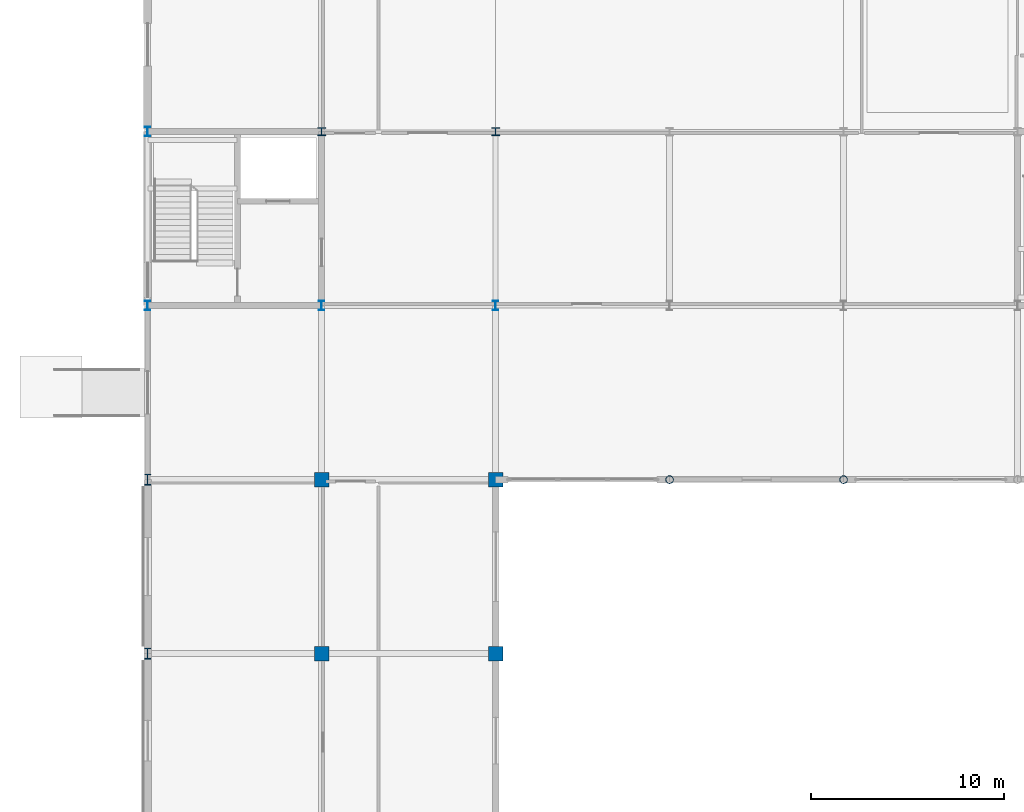
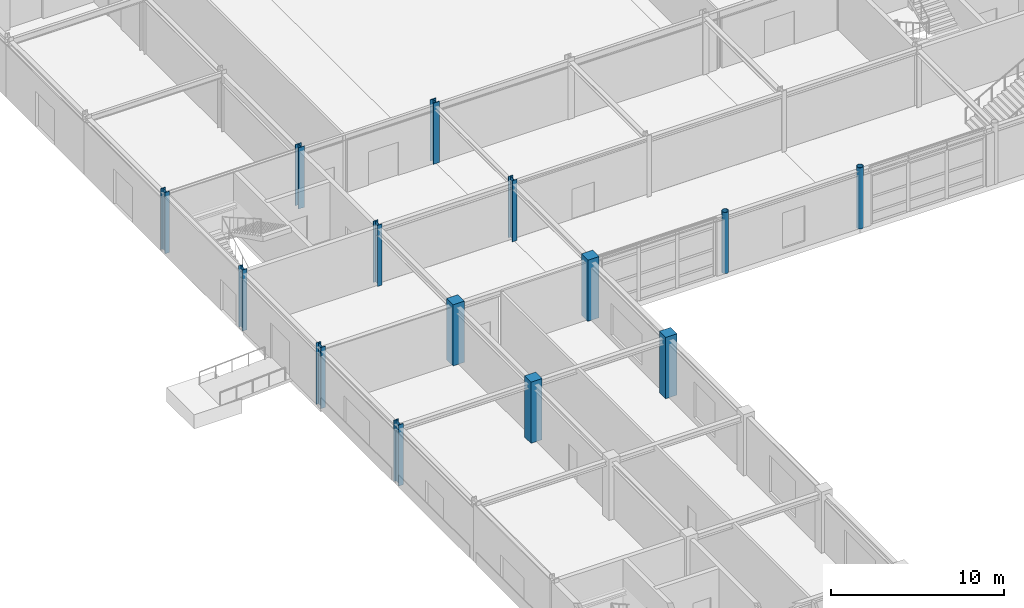
# One storey, part 8 of 72: 14 columns.
"""IFC4 building model written with IfcOpenShell, lengths in metres."""

from ifc_helpers import new_model, si_unit, direction, frame, origin, origin_2d, place, context, subcontext, project, spatial, rectangle, hollow_circle, i_section, extrude, material, material_profile, profile_set, type_object, element, save


model = new_model("IFC4")

# Units and contexts
model_context = context("Model", 3, precision=1e-05, world=origin(), true_north=direction((0.0, 1.0)))
body_context = subcontext(model_context, "Body", "Model", "MODEL_VIEW")
ifc_project = project(units=[si_unit("LENGTHUNIT", "METRE"), si_unit("AREAUNIT", "SQUARE_METRE"), si_unit("VOLUMEUNIT", "CUBIC_METRE"), si_unit("PLANEANGLEUNIT", "RADIAN"), si_unit("MASSUNIT", "GRAM", prefix="KILO")], contexts=[model_context])

# Site, building, storey
site_placement = place(None, origin())
site = spatial("IfcSite", under=ifc_project, at=site_placement, CompositionType="ELEMENT")
building_placement = place(site_placement, origin())
building = spatial("IfcBuilding", under=site, at=building_placement, Name="Palais des Congres Ocreval", CompositionType="ELEMENT")
storey_placement = place(building_placement, origin())
storey = spatial("IfcBuildingStorey", under=building, at=storey_placement, Name="L00", CompositionType="ELEMENT", Elevation=0.0)

# Columns
ifc_material_1 = material(Name="Steel S355", Category="steel")
ifc_material_profile_1 = material_profile(ifc_material_1, hollow_circle(Radius=0.203125, WallThickness=0.01611328125, at=origin_2d()), Name="CHS 406.4x16")
ifc_profile_set_1 = profile_set([ifc_material_profile_1], Name="Steel S355")
column_type_1 = type_object("IfcColumnType", Name="Column CHS 406.4x16 Steel S355", PredefinedType="COLUMN", material=ifc_profile_set_1)
for number, where, z_axis, x_axis, name in (
    (1, (27.0, 72.0, 0.0), (0.0, 0.0, 1.0), (1.0, 0.0, 0.0), "Column C15 L00"),
    (2, (36.0, 72.0, 0.0), (0.0, 0.0, 1.0), (1.0, 0.0, 0.0), "Column C15 L00"),
):
    element("IfcColumn", number, at=place(storey_placement, frame(where, z_axis=z_axis, x_axis=x_axis)), inside=storey, type_object=column_type_1, Name=name, PredefinedType="COLUMN", context=body_context, shape_type="SweptSolid", body=[
        extrude(hollow_circle(Radius=0.203125, WallThickness=0.01611328125, at=origin_2d()), origin(), (0.0, 0.0, 1.0), 4.320068359375),
    ])
ifc_material_profile_2 = material_profile(ifc_material_1, i_section(OverallWidth=0.406005859375, OverallDepth=0.416015625, WebThickness=0.0224609375, FlangeThickness=0.0380859375, at=origin_2d()), Name="HD 400x382")
ifc_profile_set_2 = profile_set([ifc_material_profile_2], Name="Steel S355")
column_type_2 = type_object("IfcColumnType", Name="Column HD 400x382 Steel S355", PredefinedType="COLUMN", material=ifc_profile_set_2)
for number, where, z_axis, x_axis, name in (
    (3, (9.0, 90.0, 0.0), (0.0, 0.0, 1.0), (1.0, 0.0, 0.0), "Column C03 L00"),
    (4, (18.0, 90.0, 0.0), (0.0, 0.0, 1.0), (1.0, 0.0, 0.0), "Column C03 L00"),
):
    element("IfcColumn", number, at=place(storey_placement, frame(where, z_axis=z_axis, x_axis=x_axis)), inside=storey, type_object=column_type_2, Name=name, PredefinedType="COLUMN", context=body_context, shape_type="SweptSolid", body=[
        extrude(i_section(OverallWidth=0.406005859375, OverallDepth=0.416015625, WebThickness=0.0224609375, FlangeThickness=0.0380859375, at=origin_2d()), origin(), (0.0, 0.0, 1.0), 4.320068359375),
    ])
ifc_material_profile_3 = material_profile(ifc_material_1, i_section(OverallWidth=0.300048828125, OverallDepth=0.5, WebThickness=0.014404296875, FlangeThickness=0.028076171875, at=origin_2d()), Name="HEB 500")
ifc_profile_set_3 = profile_set([ifc_material_profile_3], Name="Steel S355")
column_type_3 = type_object("IfcColumnType", Name="Column HEB 500 Steel S355", PredefinedType="COLUMN", material=ifc_profile_set_3)
for number, where, z_axis, x_axis, name in (
    (5, (0.0, 81.0, 0.0), (0.0, 0.0, 1.0), (1.0, 0.0, 0.0), "Column C08 L00"),
    (6, (0.0, 90.0, 0.0), (0.0, 0.0, 1.0), (1.0, 0.0, 0.0), "Column C08 L00"),
    (7, (9.0, 81.0, 0.0), (0.0, 0.0, 1.0), (1.0, 0.0, 0.0), "Column C08 L00"),
    (8, (18.0, 81.0, 0.0), (0.0, 0.0, 1.0), (1.0, 0.0, 0.0), "Column C08 L00"),
):
    element("IfcColumn", number, at=place(storey_placement, frame(where, z_axis=z_axis, x_axis=x_axis)), inside=storey, type_object=column_type_3, Name=name, PredefinedType="COLUMN", context=body_context, shape_type="SweptSolid", body=[
        extrude(i_section(OverallWidth=0.300048828125, OverallDepth=0.5, WebThickness=0.014404296875, FlangeThickness=0.028076171875, at=origin_2d()), origin(), (0.0, 0.0, 1.0), 4.320068359375),
    ])
ifc_material_2 = material(Name="Steel S460", Category="steel")
ifc_material_profile_4 = material_profile(ifc_material_2, i_section(OverallWidth=0.305908203125, OverallDepth=0.572021484375, WebThickness=0.02099609375, FlangeThickness=0.0400390625, at=origin_2d()), Name="HEM 550")
ifc_profile_set_4 = profile_set([ifc_material_profile_4], Name="Steel S460")
column_type_4 = type_object("IfcColumnType", Name="Column HEM 550 Steel S460", PredefinedType="COLUMN", material=ifc_profile_set_4)
for number, where, z_axis, x_axis, name in (
    (9, (0.0, 63.0, 0.0), (0.0, 0.0, 1.0), (1.0, 0.0, 0.0), "Column C05 L00"),
    (10, (0.0, 72.0, 0.0), (0.0, 0.0, 1.0), (1.0, 0.0, 0.0), "Column C05 L00"),
):
    element("IfcColumn", number, at=place(storey_placement, frame(where, z_axis=z_axis, x_axis=x_axis)), inside=storey, type_object=column_type_4, Name=name, PredefinedType="COLUMN", context=body_context, shape_type="SweptSolid", body=[
        extrude(i_section(OverallWidth=0.305908203125, OverallDepth=0.572021484375, WebThickness=0.02099609375, FlangeThickness=0.0400390625, at=origin_2d()), origin(), (0.0, 0.0, 1.0), 4.320068359375),
    ])
ifc_material_3 = material(Name="Concrete C40/50", Category="concrete")
ifc_material_profile_5 = material_profile(ifc_material_3, rectangle(XDim=0.75, YDim=0.75, at=origin_2d()), Name="RC 750x750")
ifc_profile_set_5 = profile_set([ifc_material_profile_5], Name="Concrete C40/50")
column_type_5 = type_object("IfcColumnType", Name="Column RC 750x750 Concrete C40/50", PredefinedType="COLUMN", material=ifc_profile_set_5)
for number, where, z_axis, x_axis, name in (
    (11, (9.0, 63.0, 0.0), (0.0, 0.0, 1.0), (1.0, 0.0, 0.0), "Column C22 L00"),
    (12, (9.0, 72.0, 0.0), (0.0, 0.0, 1.0), (1.0, 0.0, 0.0), "Column C22 L00"),
    (13, (18.0, 63.0, 0.0), (0.0, 0.0, 1.0), (1.0, 0.0, 0.0), "Column C22 L00"),
    (14, (18.0, 72.0, 0.0), (0.0, 0.0, 1.0), (1.0, 0.0, 0.0), "Column C22 L00"),
):
    element("IfcColumn", number, at=place(storey_placement, frame(where, z_axis=z_axis, x_axis=x_axis)), inside=storey, type_object=column_type_5, Name=name, PredefinedType="COLUMN", context=body_context, shape_type="SweptSolid", body=[
        extrude(rectangle(XDim=0.75, YDim=0.75, at=origin_2d()), origin(), (0.0, 0.0, 1.0), 4.320068359375),
    ])

save(model, "model.ifc")
